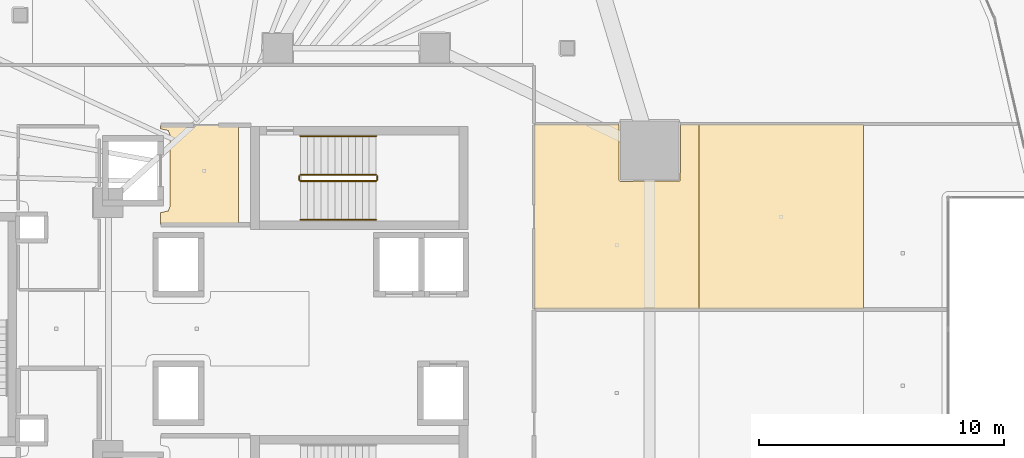
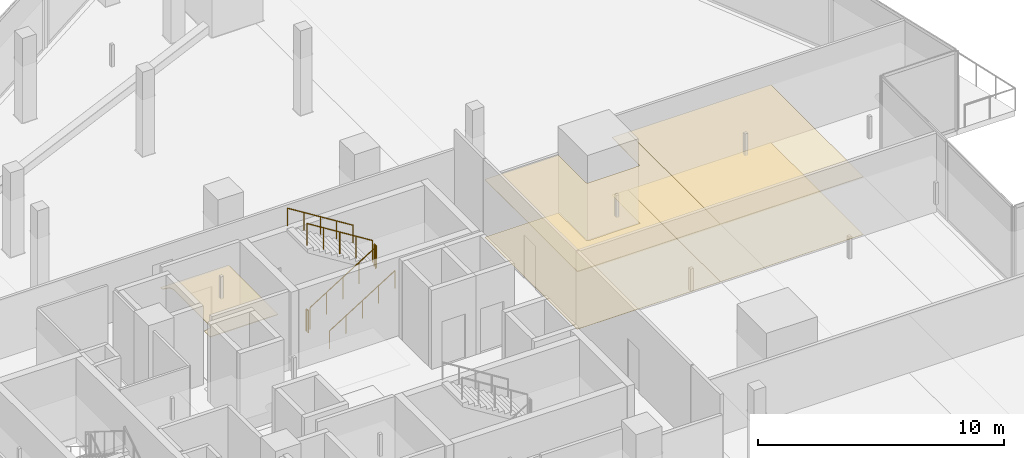
# One storey, part 44 of 45: 6 railings, 5 coverings.
"""IFC4 building model written with IfcOpenShell, lengths in metres."""

from ifc_helpers import new_model, si_unit, direction, frame, origin, origin_2d, place, context, subcontext, project, spatial, polyline, circle, outline, extrude, material, layer, layer_set, type_object, element, save


model = new_model("IFC4")

# Units and contexts
model_context = context("Model", 3, precision=1e-05, world=origin(), true_north=direction((0.0, 1.0)))
body_context = subcontext(model_context, "Body", "Model", "MODEL_VIEW")
ifc_project = project(units=[si_unit("LENGTHUNIT", "METRE"), si_unit("AREAUNIT", "SQUARE_METRE"), si_unit("VOLUMEUNIT", "CUBIC_METRE"), si_unit("PLANEANGLEUNIT", "RADIAN"), si_unit("MASSUNIT", "GRAM", prefix="KILO")], contexts=[model_context])

# Site, building, storey
site_placement = place(None, origin())
site = spatial("IfcSite", under=ifc_project, at=site_placement, CompositionType="ELEMENT")
building_placement = place(site_placement, origin())
building = spatial("IfcBuilding", under=site, at=building_placement, Name="Qorvath Tower", CompositionType="ELEMENT")
storey_placement = place(building_placement, frame((0.0, 0.0, 49.199951171875)))
storey = spatial("IfcBuildingStorey", under=building, at=storey_placement, Name="L10", CompositionType="ELEMENT", Elevation=49.199951171875)

# Coverings
ifc_material_1 = material(Name="Acoustic mineral fibre ceiling tile", Category="gypsum")
ifc_layer_1 = layer(ifc_material_1, 0.030029296875)
ifc_layer_set_1 = layer_set([ifc_layer_1], Name="COV-CEIL")
covering_type_1 = type_object("IfcCoveringType", Name="COV-CEIL", PredefinedType="CEILING", material=ifc_layer_set_1)
covering_1_placement = place(storey_placement, frame((0.0, 0.0, 2.85009765625)))
element("IfcCovering", 1, at=covering_1_placement, inside=storey, type_object=covering_type_1, Name="L10 Suspended Acoustic Ceiling 001", PredefinedType="CEILING", context=body_context, shape_type="SweptSolid", body=[
    extrude(outline(polyline([(-25.18994140625, 4.2548828125), (-25.18994140625, 8.294921875), (-28.375, 8.294921875), (-28.375, 8.159912109375), (-28.063232421875, 8.086669921875), (-27.989990234375, 7.909912109375), (-27.989990234375, 4.989990234375), (-28.063232421875, 4.813232421875), (-28.375, 4.739990234375), (-28.375, 4.2548828125), (-25.18994140625, 4.2548828125)])), origin(), (0.0, 0.0, 1.0), 0.030029296875),
])
covering_2_placement = place(storey_placement, frame((0.0, 0.0, 2.85009765625)))
element("IfcCovering", 2, at=covering_2_placement, inside=storey, type_object=covering_type_1, Name="L10 Suspended Acoustic Ceiling 023", PredefinedType="CEILING", context=body_context, shape_type="SweptSolid", body=[
    extrude(outline(polyline([(-6.4267578125, 0.80419921875), (-6.4267578125, 8.3369140625), (-7.17041015625, 8.3369140625), (-7.18798828125, 6.033935546875), (-9.63037109375, 6.016357421875), (-9.690185546875, 6.076416015625), (-9.690185546875, 8.3369140625), (-13.136962890625, 8.3369140625), (-13.136962890625, 0.80419921875), (-6.4267578125, 0.80419921875)])), origin(), (0.0, 0.0, 1.0), 0.030029296875),
])
covering_3_placement = place(storey_placement, frame((0.0, 0.0, 2.85009765625)))
element("IfcCovering", 3, at=covering_3_placement, inside=storey, type_object=covering_type_1, Name="L10 Suspended Acoustic Ceiling 024", PredefinedType="CEILING", context=body_context, shape_type="SweptSolid", body=[
    extrude(outline(polyline([(0.283447265625, 0.80419921875), (0.283447265625, 8.3369140625), (-6.4267578125, 8.3369140625), (-6.4267578125, 0.80419921875), (0.283447265625, 0.80419921875)])), origin(), (0.0, 0.0, 1.0), 0.030029296875),
])
ifc_material_2 = material(Name="Low-VOC modular carpet tile", Category="textile")
ifc_layer_2 = layer(ifc_material_2, 0.014892578125)
ifc_layer_set_2 = layer_set([ifc_layer_2], Name="COV-FLOOR-CPT")
covering_type_2 = type_object("IfcCoveringType", Name="COV-FLOOR-CPT", PredefinedType="FLOORING", material=ifc_layer_set_2)
covering_4_placement = place(storey_placement, origin())
element("IfcCovering", 4, at=covering_4_placement, inside=storey, type_object=covering_type_2, Name="L10 Floor Finish 023", PredefinedType="FLOORING", context=body_context, shape_type="SweptSolid", body=[
    extrude(outline(polyline([(-6.4267578125, 0.80419921875), (-6.4267578125, 8.3369140625), (-7.17041015625, 8.3369140625), (-7.18798828125, 6.033935546875), (-9.63037109375, 6.016357421875), (-9.690185546875, 6.076416015625), (-9.690185546875, 8.3369140625), (-13.136962890625, 8.3369140625), (-13.136962890625, 0.80419921875), (-6.4267578125, 0.80419921875)])), origin(), (0.0, 0.0, 1.0), 0.01513671875),
])
covering_5_placement = place(storey_placement, origin())
element("IfcCovering", 5, at=covering_5_placement, inside=storey, type_object=covering_type_2, Name="L10 Floor Finish 024", PredefinedType="FLOORING", context=body_context, shape_type="SweptSolid", body=[
    extrude(outline(polyline([(0.283447265625, 0.80419921875), (0.283447265625, 8.3369140625), (-6.4267578125, 8.3369140625), (-6.4267578125, 0.80419921875), (0.283447265625, 0.80419921875)])), origin(), (0.0, 0.0, 1.0), 0.01513671875),
])

# Railings
ifc_material_3 = material(Name="Painted galvanised steel", Category="steel")
railing_type_1 = type_object("IfcRailingType", Name="RL-STR-GRD", PredefinedType="GUARDRAIL", material=ifc_material_3)
railing_1_placement = place(storey_placement, frame((-22.669921875, 6.030029296875, 0.175048828125)))
element("IfcRailing", 6, at=railing_1_placement, inside=storey, type_object=railing_type_1, Name="L10 TS1 stair guard 1", PredefinedType="GUARDRAIL", context=body_context, shape_type="SweptSolid", body=[
    extrude(circle(Radius=0.02392578125, at=origin_2d()), frame((0.0, 0.0, 1.076171875), z_axis=(0.847979421464, 0.0, 0.530029150871), x_axis=(0.0, 1.0, 0.0)), (0.0, 0.0, 1.0), 3.632080078125),
    extrude(circle(Radius=0.02099609375, at=origin_2d()), origin(), (0.0, 0.0, 1.0), 1.052001953125),
    extrude(circle(Radius=0.02099609375, at=origin_2d()), frame((0.77001953125, 0.0, 0.481201171875)), (0.0, 0.0, 1.0), 1.052001953125),
    extrude(circle(Radius=0.02099609375, at=origin_2d()), frame((1.5400390625, 0.0, 0.96240234375)), (0.0, 0.0, 1.0), 1.052001953125),
    extrude(circle(Radius=0.02099609375, at=origin_2d()), frame((2.309814453125, 0.0, 1.44384765625)), (0.0, 0.0, 1.0), 1.052001953125),
    extrude(circle(Radius=0.02099609375, at=origin_2d()), frame((3.079833984375, 0.0, 1.925048828125)), (0.0, 0.0, 1.0), 1.052001953125),
])
railing_2_placement = place(storey_placement, frame((-19.5400390625, 6.080078125, 2.10009765625)))
element("IfcRailing", 7, at=railing_2_placement, inside=storey, type_object=railing_type_1, Name="L10 TS1 stair guard 2", PredefinedType="GUARDRAIL", context=body_context, shape_type="SweptSolid", body=[
    extrude(circle(Radius=0.02392578125, at=origin_2d()), frame((0.0, 0.0, 1.076171875), z_axis=(0.0, 1.0, 0.0), x_axis=(-1.0, 0.0, 0.0)), (0.0, 0.0, 1.0), 0.14990234375),
    extrude(circle(Radius=0.02099609375, at=origin_2d()), origin(), (0.0, 0.0, 1.0), 1.052001953125),
    extrude(circle(Radius=0.02099609375, at=origin_2d()), frame((0.0, 0.14990234375, 0.0)), (0.0, 0.0, 1.0), 1.052001953125),
])
railing_3_placement = place(storey_placement, frame((-19.590087890625, 6.280029296875, 2.275146484375)))
element("IfcRailing", 8, at=railing_3_placement, inside=storey, type_object=railing_type_1, Name="L10 TS1 stair guard 3", PredefinedType="GUARDRAIL", context=body_context, shape_type="SweptSolid", body=[
    extrude(circle(Radius=0.02392578125, at=origin_2d()), frame((0.0, 0.0, 1.076171875), z_axis=(-0.848009633417, 0.0, 0.529980812513), x_axis=(0.0, -1.0, 0.0)), (0.0, 0.0, 1.0), 3.6318359375),
    extrude(circle(Radius=0.02099609375, at=origin_2d()), origin(), (0.0, 0.0, 1.0), 1.052001953125),
    extrude(circle(Radius=0.02099609375, at=origin_2d()), frame((-0.77001953125, 0.0, 0.481201171875)), (0.0, 0.0, 1.0), 1.052001953125),
    extrude(circle(Radius=0.02099609375, at=origin_2d()), frame((-1.5400390625, 0.0, 0.96240234375)), (0.0, 0.0, 1.0), 1.052001953125),
    extrude(circle(Radius=0.02099609375, at=origin_2d()), frame((-2.309814453125, 0.0, 1.443603515625)), (0.0, 0.0, 1.0), 1.052001953125),
    extrude(circle(Radius=0.02099609375, at=origin_2d()), frame((-3.079833984375, 0.0, 1.9248046875)), (0.0, 0.0, 1.0), 1.052001953125),
])
railing_4_placement = place(storey_placement, frame((-22.719970703125, 6.080078125, 0.0)))
element("IfcRailing", 9, at=railing_4_placement, inside=storey, type_object=railing_type_1, Name="L10 TS1 stair guard 4", PredefinedType="GUARDRAIL", context=body_context, shape_type="SweptSolid", body=[
    extrude(circle(Radius=0.02392578125, at=origin_2d()), frame((0.0, 0.0, 1.076171875), z_axis=(0.0, 1.0, 0.0), x_axis=(-1.0, 0.0, 0.0)), (0.0, 0.0, 1.0), 0.14990234375),
    extrude(circle(Radius=0.02099609375, at=origin_2d()), origin(), (0.0, 0.0, 1.0), 1.052001953125),
    extrude(circle(Radius=0.02099609375, at=origin_2d()), frame((0.0, 0.14990234375, 0.0)), (0.0, 0.0, 1.0), 1.052001953125),
])
ifc_material_4 = material(Name="Brushed stainless steel AISI 304", Category="steel")
railing_type_2 = type_object("IfcRailingType", Name="RL-STR-HND", PredefinedType="HANDRAIL", material=ifc_material_4)
railing_5_placement = place(storey_placement, frame((-22.669921875, 4.449951171875, 0.175048828125)))
element("IfcRailing", 10, at=railing_5_placement, inside=storey, type_object=railing_type_2, Name="L10 TS1 stair handrail 1", PredefinedType="HANDRAIL", context=body_context, shape_type="SweptSolid", body=[
    extrude(circle(Radius=0.02392578125, at=origin_2d()), frame((0.0, 0.0, 0.8759765625), z_axis=(0.847979421464, 0.0, 0.530029150871), x_axis=(0.0, 1.0, 0.0)), (0.0, 0.0, 1.0), 3.632080078125),
    extrude(circle(Radius=0.02099609375, at=origin_2d()), origin(), (0.0, 0.0, 1.0), 0.851806640625),
    extrude(circle(Radius=0.02099609375, at=origin_2d()), frame((0.77001953125, 0.0, 0.481201171875)), (0.0, 0.0, 1.0), 0.851806640625),
    extrude(circle(Radius=0.02099609375, at=origin_2d()), frame((1.5400390625, 0.0, 0.96240234375)), (0.0, 0.0, 1.0), 0.851806640625),
    extrude(circle(Radius=0.02099609375, at=origin_2d()), frame((2.309814453125, 0.0, 1.44384765625)), (0.0, 0.0, 1.0), 0.851806640625),
    extrude(circle(Radius=0.02099609375, at=origin_2d()), frame((3.079833984375, 0.0, 1.925048828125)), (0.0, 0.0, 1.0), 0.851806640625),
])
railing_6_placement = place(storey_placement, frame((-19.590087890625, 7.860107421875, 2.275146484375)))
element("IfcRailing", 11, at=railing_6_placement, inside=storey, type_object=railing_type_2, Name="L10 TS1 stair handrail 2", PredefinedType="HANDRAIL", context=body_context, shape_type="SweptSolid", body=[
    extrude(circle(Radius=0.02392578125, at=origin_2d()), frame((0.0, 0.0, 0.8759765625), z_axis=(-0.848009633417, 0.0, 0.529980812513), x_axis=(0.0, -1.0, 0.0)), (0.0, 0.0, 1.0), 3.6318359375),
    extrude(circle(Radius=0.02099609375, at=origin_2d()), origin(), (0.0, 0.0, 1.0), 0.851806640625),
    extrude(circle(Radius=0.02099609375, at=origin_2d()), frame((-0.77001953125, 0.0, 0.481201171875)), (0.0, 0.0, 1.0), 0.851806640625),
    extrude(circle(Radius=0.02099609375, at=origin_2d()), frame((-1.5400390625, 0.0, 0.96240234375)), (0.0, 0.0, 1.0), 0.851806640625),
    extrude(circle(Radius=0.02099609375, at=origin_2d()), frame((-2.309814453125, 0.0, 1.443603515625)), (0.0, 0.0, 1.0), 0.851806640625),
    extrude(circle(Radius=0.02099609375, at=origin_2d()), frame((-3.079833984375, 0.0, 1.9248046875)), (0.0, 0.0, 1.0), 0.851806640625),
])

save(model, "model.ifc")
